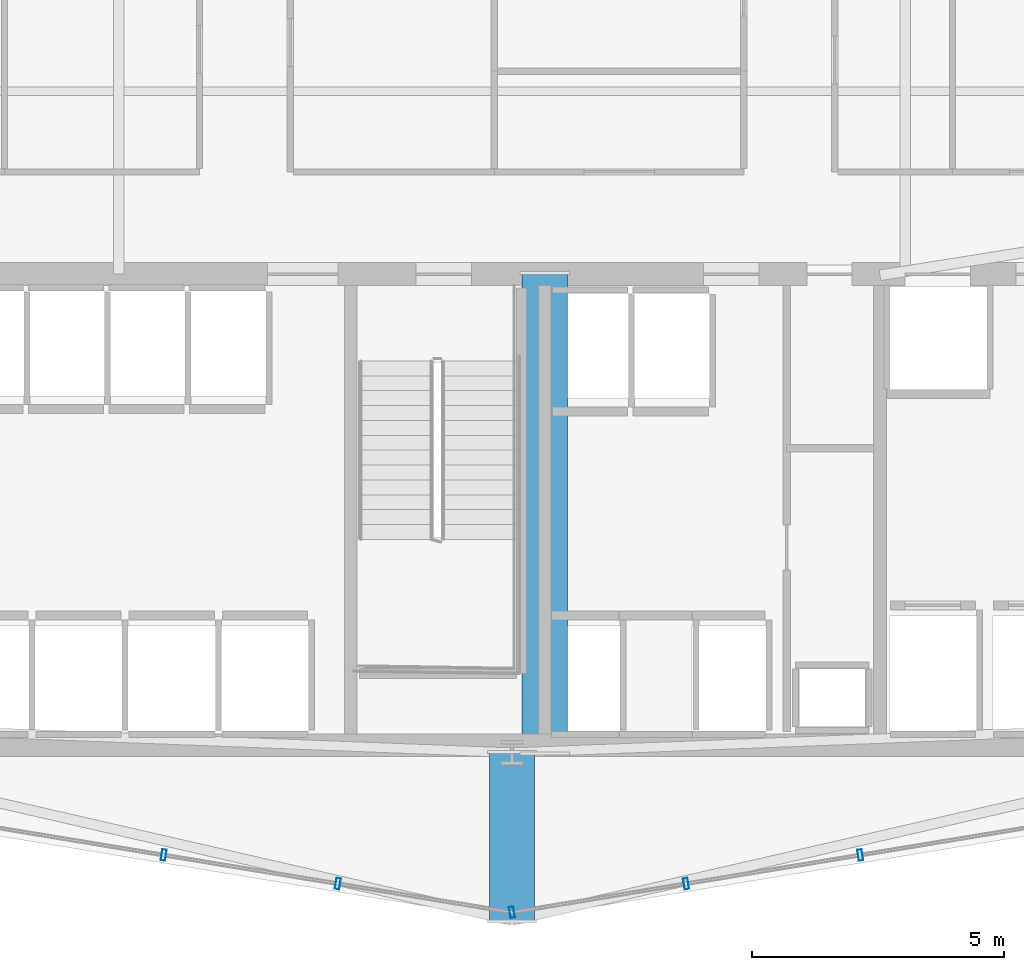
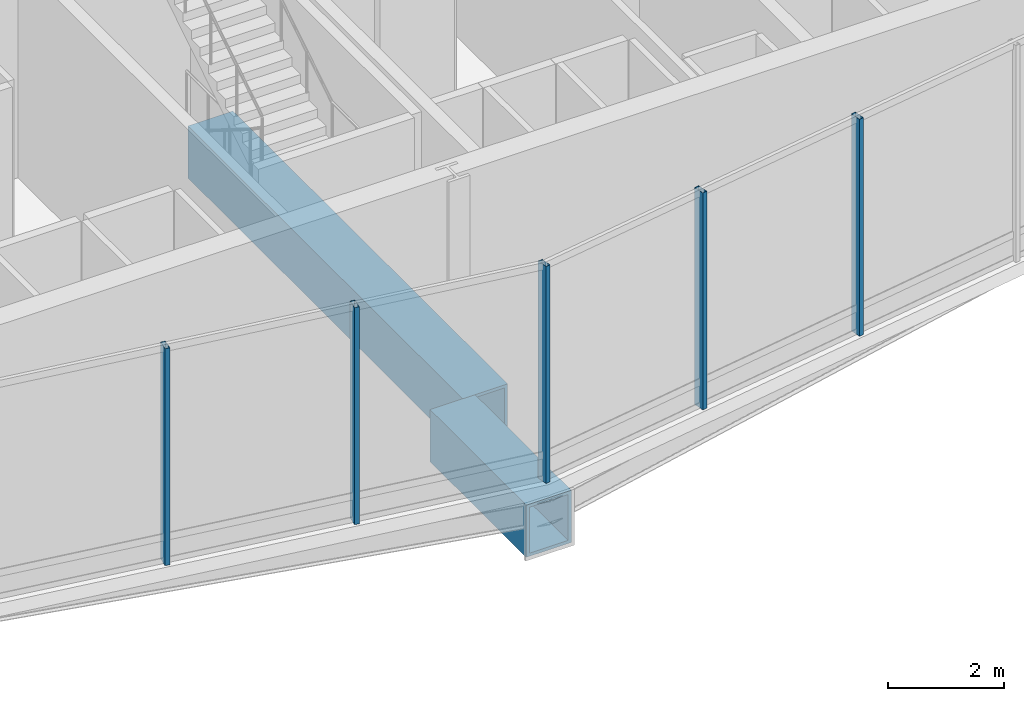
# One storey, part 5 of 26: 5 members, 2 beams, 2 elements without a shape of their own.
"""IFC4 building model written with IfcOpenShell, lengths in metres."""

import ifcopenshell
import ifcopenshell.guid

model = None  # the IFC model being written
_history = None  # IfcOwnerHistory: only IFC2X3 demands one
_inside = {}  # id of a spatial element -> (the spatial element, [elements in it])
_under = {}  # id of a project, library or spatial element -> (it, [spatial elements below it])
_declared = {}  # id of a project -> (the project, [libraries it declares])
_typed = {}  # id of a type object -> (the type object, [elements of that type])
_made_of = {}  # id of a material, layer set ... -> (it, [elements and type objects made of it])


def new_model(schema):
    """Start an empty IFC model of exactly this schema.

    Asked for "IFC4X3", IfcOpenShell would pick the latest addendum, in which some entities
    have other attributes; the version numbers below select the first issue.
    IFC2X3 requires an IfcOwnerHistory on every rooted entity: one is made here for all.
    """
    global model, _history
    if schema == "IFC4X3":
        model = ifcopenshell.file(schema_version=(4, 3, 0, 0))
    else:
        model = ifcopenshell.file(schema=schema)
    _inside.clear()
    _under.clear()
    _declared.clear()
    _typed.clear()
    _made_of.clear()
    _history = None
    if model.schema == "IFC2X3":
        org = make("IfcOrganization", Name="unknown")
        user = make(
            "IfcPersonAndOrganization",
            ThePerson=make("IfcPerson", FamilyName="unknown"),
            TheOrganization=org,
        )
        app = make(
            "IfcApplication",
            ApplicationDeveloper=org,
            Version="unknown",
            ApplicationFullName="unknown",
            ApplicationIdentifier="unknown",
        )
        _history = make(
            "IfcOwnerHistory",
            OwningUser=user,
            OwningApplication=app,
            ChangeAction="ADDED",
            CreationDate=0,
        )
    return model


def make(cls, **values):
    """One entity of the class cls with the attributes given. An attribute that is None is left unset."""
    return model.create_entity(
        cls, **{name: value for name, value in values.items() if value is not None}
    )


def rooted(cls, **values):
    """An entity with a GlobalId (a new one), such as an element, a storey or a relation."""
    return make(cls, GlobalId=ifcopenshell.guid.new(), OwnerHistory=_history, **values)


def si_unit(unit_type, name, prefix=None):
    """IfcSIUnit, for example si_unit("LENGTHUNIT", "METRE", prefix="MILLI")."""
    return make("IfcSIUnit", UnitType=unit_type, Prefix=prefix, Name=name)


def assignment(units):
    """IfcUnitAssignment: the units of a project."""
    return None if units is None else make("IfcUnitAssignment", Units=units)


def point(xyz):
    """IfcCartesianPoint."""
    return None if xyz is None else make("IfcCartesianPoint", Coordinates=xyz)


def direction(xyz):
    """IfcDirection."""
    return None if xyz is None else make("IfcDirection", DirectionRatios=xyz)


def frame(location, z_axis=None, x_axis=None):
    """IfcAxis2Placement3D, a coordinate frame: its origin and axes. An axis left out is left unset."""
    return make(
        "IfcAxis2Placement3D",
        Location=point(location),
        Axis=direction(z_axis),
        RefDirection=direction(x_axis),
    )


def frame_2d(location, x_axis=None):
    """IfcAxis2Placement2D, a coordinate frame in the plane: its origin and x axis."""
    return make(
        "IfcAxis2Placement2D", Location=point(location), RefDirection=direction(x_axis)
    )


def origin():
    """The frame at (0, 0, 0) with its axes left unset."""
    return frame((0.0, 0.0, 0.0))


def origin_2d():
    """The frame at (0, 0) in the plane with its x axis left unset."""
    return frame_2d((0.0, 0.0))


def place(relative_to, where):
    """IfcLocalPlacement: puts the frame where relative to a parent placement (None: the world)."""
    return make(
        "IfcLocalPlacement", PlacementRelTo=relative_to, RelativePlacement=where
    )


def context(
    kind, dimensions, precision=None, world=None, true_north=None, identifier=None
):
    """IfcGeometricRepresentationContext, for example the 3D "Model" context."""
    return make(
        "IfcGeometricRepresentationContext",
        ContextIdentifier=identifier,
        ContextType=kind,
        CoordinateSpaceDimension=dimensions,
        Precision=precision,
        WorldCoordinateSystem=world,
        TrueNorth=true_north,
    )


def subcontext(parent, identifier, kind, view, scale=None):
    """IfcGeometricRepresentationSubContext, for example "Body" below "Model"."""
    return make(
        "IfcGeometricRepresentationSubContext",
        ContextIdentifier=identifier,
        ContextType=kind,
        ParentContext=parent,
        TargetScale=scale,
        TargetView=view,
    )


def project(units=None, contexts=None):
    """IfcProject with its units and contexts."""
    return rooted(
        "IfcProject",
        Name="project",
        RepresentationContexts=contexts,
        UnitsInContext=assignment(units),
    )


def spatial(cls, under=None, at=None, **own):
    """A site, building, storey or space (cls), placed at a placement, below another one or the project."""
    s = rooted(cls, ObjectPlacement=at, **own)
    if under is not None:
        _under.setdefault(under.id(), (under, []))[1].append(s)
    return s


def profile(cls, at=None, kind="AREA", **sizes):
    """A parametric profile (cls). Its sizes go by their IFC names, for example OverallWidth=200.0."""
    return make(cls, ProfileType=kind, Position=at, **sizes)


def hollow_rectangle(**sizes):
    """IfcRectangleHollowProfileDef."""
    return profile("IfcRectangleHollowProfileDef", **sizes)


def extrude(swept, where, along, depth):
    """IfcExtrudedAreaSolid: the profile swept, set in the frame where, extruded along a direction by depth."""
    return make(
        "IfcExtrudedAreaSolid",
        SweptArea=swept,
        Position=where,
        ExtrudedDirection=direction(along),
        Depth=depth,
    )


def shape(context_of_items, identifier, shape_type, items):
    """IfcShapeRepresentation: the items that make up one representation, for example the "Body"."""
    return make(
        "IfcShapeRepresentation",
        ContextOfItems=context_of_items,
        RepresentationIdentifier=identifier,
        RepresentationType=shape_type,
        Items=items,
    )


def material(Name=None, Category=None):
    """IfcMaterial."""
    return make("IfcMaterial", Name=Name, Category=Category)


def layer(
    of_material, thickness, ventilated=None, Name=None, Category=None, Priority=None
):
    """IfcMaterialLayer: one layer of a wall or slab, of a material (None: an air gap)."""
    return make(
        "IfcMaterialLayer",
        Material=of_material,
        LayerThickness=thickness,
        IsVentilated=ventilated,
        Name=Name,
        Category=Category,
        Priority=Priority,
    )


def layer_set(layers, Name=None):
    """IfcMaterialLayerSet."""
    return make("IfcMaterialLayerSet", MaterialLayers=layers, LayerSetName=Name)


def material_profile(
    of_material, cross_section, Name=None, Category=None, Priority=None
):
    """IfcMaterialProfile: a cross section and its material."""
    return make(
        "IfcMaterialProfile",
        Name=Name,
        Material=of_material,
        Profile=cross_section,
        Priority=Priority,
        Category=Category,
    )


def profile_set(profiles, Name=None, composite=None):
    """IfcMaterialProfileSet."""
    return make(
        "IfcMaterialProfileSet",
        Name=Name,
        MaterialProfiles=profiles,
        CompositeProfile=composite,
    )


def made_of(thing, what):
    """Note that an element or type object is made of a material, layer set ...; save() writes the relation."""
    if what is not None:
        _made_of.setdefault(what.id(), (what, []))[1].append(thing)
    return thing


def type_object(cls, material=None, **own):
    """A type object (cls), such as IfcWallType, which elements share."""
    return made_of(rooted(cls, **own), material)


def element(
    cls,
    number,
    at=None,
    inside=None,
    cuts=None,
    type_object=None,
    material=None,
    context=None,
    identifier="Body",
    shape_type=None,
    held_by="IfcProductDefinitionShape",
    body=None,
    shapes=None,
    **own,
):
    """One element of the class cls, such as IfcWall. Its Tag is "e" and its number.

    at: its placement. inside: the storey or other place that contains it. cuts: it is an
    opening in that element (IfcRelVoidsElement). A single representation is given by context,
    identifier, shape_type and body (its items); several are given by shapes. held_by: the class
    of the entity that holds the representations. save() writes the other relations.
    """
    e = rooted(cls, Tag="e%d" % number, ObjectPlacement=at, **own)
    if body is not None:
        shapes = [shape(context, identifier, shape_type, body)]
    if shapes is not None:
        e.Representation = make(held_by, Representations=shapes)
    if inside is not None:
        _inside.setdefault(inside.id(), (inside, []))[1].append(e)
    if cuts is not None:
        rooted(
            "IfcRelVoidsElement", RelatingBuildingElement=cuts, RelatedOpeningElement=e
        )
    if type_object is not None:
        _typed.setdefault(type_object.id(), (type_object, []))[1].append(e)
    return made_of(e, material)


def aggregate(whole, parts):
    """IfcRelAggregates: a whole, such as a stair, and the parts it consists of."""
    return rooted("IfcRelAggregates", RelatingObject=whole, RelatedObjects=parts)


def save(model, path):
    """Write the relations noted so far, then the file.

    IfcRelAggregates (storeys below a building ...), IfcRelContainedInSpatialStructure (elements
    in a storey), IfcRelDefinesByType, IfcRelAssociatesMaterial and IfcRelDeclares: one each for
    every whole, place, type object, material and project.
    """
    for whole, parts in _under.values():
        aggregate(whole, parts)
    for where, things in _inside.values():
        rooted(
            "IfcRelContainedInSpatialStructure",
            RelatedElements=things,
            RelatingStructure=where,
        )
    for kind, things in _typed.values():
        rooted("IfcRelDefinesByType", RelatedObjects=things, RelatingType=kind)
    for what, things in _made_of.values():
        rooted("IfcRelAssociatesMaterial", RelatedObjects=things, RelatingMaterial=what)
    for by, libraries in _declared.values():
        rooted("IfcRelDeclares", RelatingContext=by, RelatedDefinitions=libraries)
    model.write(path)


model = new_model("IFC4")

# Units and contexts
model_context = context("Model", 3, precision=1e-05, world=origin(), true_north=direction((0.0, 1.0)))
body_context = subcontext(model_context, "Body", "Model", "MODEL_VIEW")
ifc_project = project(units=[si_unit("LENGTHUNIT", "METRE"), si_unit("AREAUNIT", "SQUARE_METRE"), si_unit("VOLUMEUNIT", "CUBIC_METRE"), si_unit("PLANEANGLEUNIT", "RADIAN"), si_unit("MASSUNIT", "GRAM", prefix="KILO")], contexts=[model_context])

# Site, building, storey
site_placement = place(None, origin())
site = spatial("IfcSite", under=ifc_project, at=site_placement, CompositionType="ELEMENT")
building_placement = place(site_placement, origin())
building = spatial("IfcBuilding", under=site, at=building_placement, Name="Ndaravel Arena Tower", CompositionType="ELEMENT")
storey_placement = place(building_placement, frame((0.0, 0.0, 122.199951171875)))
storey = spatial("IfcBuildingStorey", under=building, at=storey_placement, Name="L28", CompositionType="ELEMENT", Elevation=122.199951171875)

# Beams
ifc_material_1 = material(Name="Steel S460", Category="steel")
ifc_material_profile_1 = material_profile(ifc_material_1, hollow_rectangle(XDim=0.89990234375, YDim=1.10009765625, WallThickness=0.06494140625, at=origin_2d()), Name="BOX 1100x900x65")
ifc_profile_set_1 = profile_set([ifc_material_profile_1], Name="Steel S460")
beam_type = type_object("IfcBeamType", Name="BM-STAR-BOX1100", PredefinedType="BEAM", material=ifc_profile_set_1)
beam_1_placement = place(storey_placement, frame((42.64990234375, 14.97998046875, -0.829833984375), z_axis=(0.0, -1.0, 0.0), x_axis=(1.0, 0.0, 0.0)))
element("IfcBeam", 1, at=beam_1_placement, inside=storey, type_object=beam_type, Name="L28 Star Cantilever Backspan Girder SBG-2", PredefinedType="BEAM", context=body_context, shape_type="SweptSolid", body=[
    extrude(hollow_rectangle(XDim=0.89990234375, YDim=1.10009765625, WallThickness=0.06494140625, at=origin_2d()), origin(), (0.0, 0.0, 1.0), 9.5),
])
beam_2_placement = place(storey_placement, frame((42.0, 5.47998046875, -0.829833984375), z_axis=(0.0, -1.0, 0.0), x_axis=(1.0, 0.0, 0.0)))
element("IfcBeam", 2, at=beam_2_placement, inside=storey, type_object=beam_type, Name="L28 Star Cantilever Tip Girder SCG-2", PredefinedType="BEAM", context=body_context, shape_type="SweptSolid", body=[
    extrude(hollow_rectangle(XDim=0.89990234375, YDim=1.10009765625, WallThickness=0.06494140625, at=origin_2d()), origin(), (0.0, 0.0, 1.0), 3.330078125),
])

# Curtain wall, members
ifc_material_2 = material(Name="Aluminium", Category="aluminium")
ifc_layer = layer(ifc_material_2, 0.179931640625)
ifc_layer_set = layer_set([ifc_layer], Name="Aluminium")
curtain_wall_type = type_object("IfcCurtainWallType", Name="CW-SYS-04", PredefinedType="NOTDEFINED", material=ifc_layer_set)
curtain_wall_1_placement = place(storey_placement, origin())
curtain_wall_1 = element("IfcCurtainWall", 3, at=curtain_wall_1_placement, inside=storey, type_object=curtain_wall_type, Name="L28 Faceted Crystal Curtain Wall CW-L28-E02", PredefinedType="NOTDEFINED")
ifc_material_3 = material(Name="Aluminium", Category="aluminium")
ifc_material_profile_2 = material_profile(ifc_material_3, hollow_rectangle(XDim=0.090087890625, YDim=0.219970703125, WallThickness=0.0048828125, at=origin_2d()), Name="CW MULLION 90x220x5")
ifc_profile_set_2 = profile_set([ifc_material_profile_2], Name="Aluminium")
member_type = type_object("IfcMemberType", Name="MEM-CW-MUL220", PredefinedType="MULLION", material=ifc_profile_set_2)
member_1_placement = place(storey_placement, frame((35.090576171875, 3.448486328125, 0.0), z_axis=(0.0, 0.0, 1.0), x_axis=(0.986739822482, -0.162309958809, 0.0)))
member_1 = element("IfcMember", 4, at=member_1_placement, type_object=member_type, Name="CW-L28-E02 Mullion 03", PredefinedType="MULLION", context=body_context, shape_type="SweptSolid", body=[
    extrude(hollow_rectangle(XDim=0.090087890625, YDim=0.219970703125, WallThickness=0.0048828125, at=origin_2d()), origin(), (0.0, 0.0, 1.0), 4.580078125),
])
member_2_placement = place(storey_placement, frame((38.54541015625, 2.88037109375, 0.0), z_axis=(0.0, 0.0, 1.0), x_axis=(0.986739822482, -0.162309958809, 0.0)))
member_2 = element("IfcMember", 5, at=member_2_placement, type_object=member_type, Name="CW-L28-E02 Mullion 04", PredefinedType="MULLION", context=body_context, shape_type="SweptSolid", body=[
    extrude(hollow_rectangle(XDim=0.090087890625, YDim=0.219970703125, WallThickness=0.0048828125, at=origin_2d()), origin(), (0.0, 0.0, 1.0), 4.580078125),
])
aggregate(curtain_wall_1, [member_1, member_2])

curtain_wall_2_placement = place(storey_placement, origin())
curtain_wall_2 = element("IfcCurtainWall", 6, at=curtain_wall_2_placement, inside=storey, type_object=curtain_wall_type, Name="L28 Faceted Crystal Curtain Wall CW-L28-E03", PredefinedType="NOTDEFINED")
member_3_placement = place(storey_placement, frame((42.0, 2.31201171875, 0.0), z_axis=(0.0, 0.0, 1.0), x_axis=(0.986739822482, 0.162309958809, 0.0)))
member_3 = element("IfcMember", 7, at=member_3_placement, type_object=member_type, Name="CW-L28-E03 Mullion 00", PredefinedType="MULLION", context=body_context, shape_type="SweptSolid", body=[
    extrude(hollow_rectangle(XDim=0.090087890625, YDim=0.219970703125, WallThickness=0.0048828125, at=origin_2d()), origin(), (0.0, 0.0, 1.0), 4.580078125),
])
member_4_placement = place(storey_placement, frame((45.45458984375, 2.88037109375, 0.0), z_axis=(0.0, 0.0, 1.0), x_axis=(0.986739822482, 0.162309958809, 0.0)))
member_4 = element("IfcMember", 8, at=member_4_placement, type_object=member_type, Name="CW-L28-E03 Mullion 01", PredefinedType="MULLION", context=body_context, shape_type="SweptSolid", body=[
    extrude(hollow_rectangle(XDim=0.090087890625, YDim=0.219970703125, WallThickness=0.0048828125, at=origin_2d()), origin(), (0.0, 0.0, 1.0), 4.580078125),
])
member_5_placement = place(storey_placement, frame((48.909423828125, 3.448486328125, 0.0), z_axis=(0.0, 0.0, 1.0), x_axis=(0.986739822482, 0.162309958809, 0.0)))
member_5 = element("IfcMember", 9, at=member_5_placement, type_object=member_type, Name="CW-L28-E03 Mullion 02", PredefinedType="MULLION", context=body_context, shape_type="SweptSolid", body=[
    extrude(hollow_rectangle(XDim=0.090087890625, YDim=0.219970703125, WallThickness=0.0048828125, at=origin_2d()), origin(), (0.0, 0.0, 1.0), 4.580078125),
])
aggregate(curtain_wall_2, [member_3, member_4, member_5])

save(model, "model.ifc")
